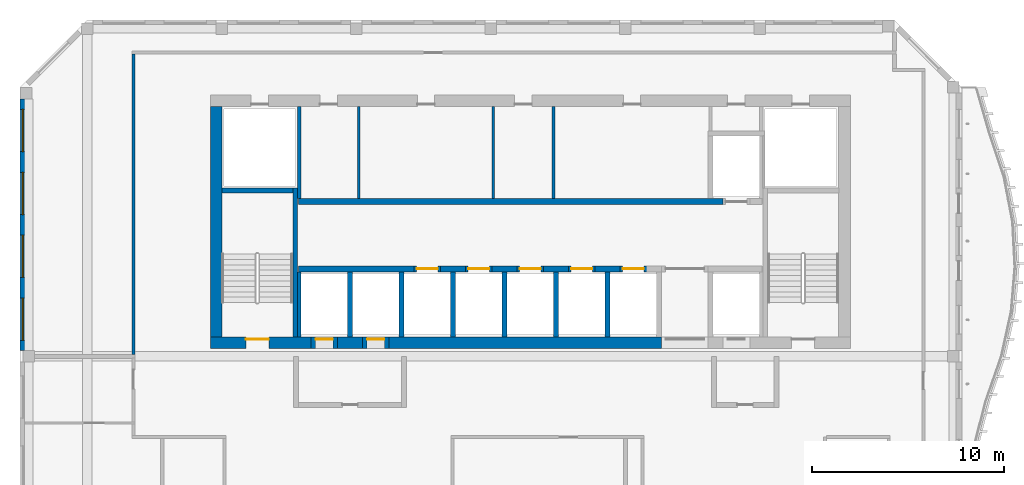
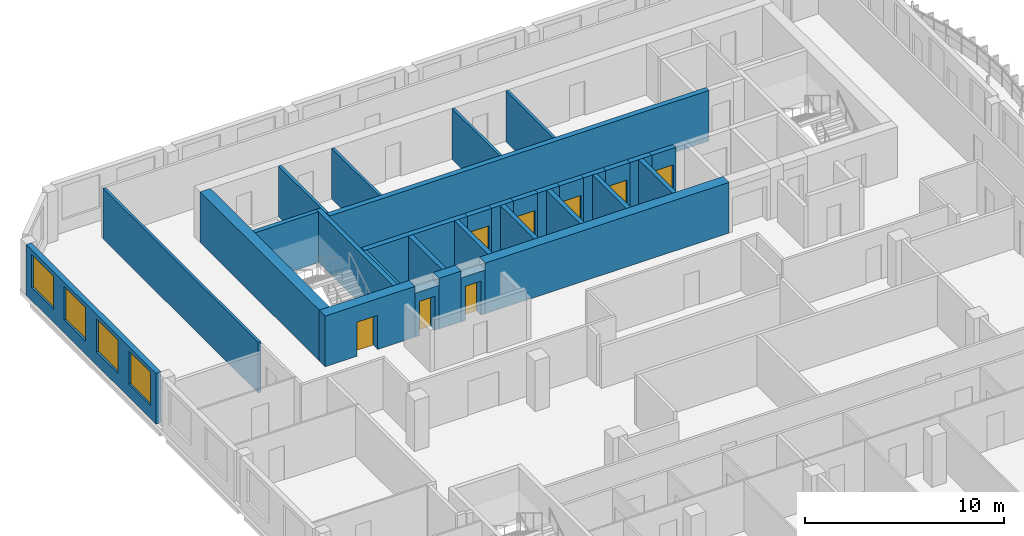
# One storey, part 6 of 17: 32 walls, 8 doors, 4 windows, 12 openings.
"""IFC4 building model written with IfcOpenShell, lengths in metres."""

from ifc_helpers import new_model, si_unit, direction, frame, frame_2d, origin, place, context, subcontext, project, spatial, rectangle, extrude, source, transform, mapped, material, layer, layer_set, type_object, element, fill, save


model = new_model("IFC4")

# Units and contexts
model_context = context("Model", 3, precision=1e-05, world=origin(), true_north=direction((0.0, 1.0)))
body_context = subcontext(model_context, "Body", "Model", "MODEL_VIEW")
ifc_project = project(units=[si_unit("LENGTHUNIT", "METRE"), si_unit("AREAUNIT", "SQUARE_METRE"), si_unit("VOLUMEUNIT", "CUBIC_METRE"), si_unit("PLANEANGLEUNIT", "RADIAN"), si_unit("MASSUNIT", "GRAM", prefix="KILO")], contexts=[model_context])

# Site, building, storey
site_placement = place(None, origin())
site = spatial("IfcSite", under=ifc_project, at=site_placement, CompositionType="ELEMENT")
building_placement = place(site_placement, origin())
building = spatial("IfcBuilding", under=site, at=building_placement, Name="Kilnfold Tower and Market Hall", CompositionType="ELEMENT")
storey_placement = place(building_placement, frame((0.0, 0.0, 298.39990234375)))
storey = spatial("IfcBuildingStorey", under=building, at=storey_placement, Name="L74", CompositionType="ELEMENT", Elevation=298.39990234375)

# Walls
ifc_material_1 = material(Name="Gypsum board on steel studs", Category="steel")
ifc_layer_1 = layer(ifc_material_1, 0.14990234375)
ifc_layer_set_1 = layer_set([ifc_layer_1], Name="Gypsum board on steel studs")
wall_type_1 = type_object("IfcWallType", Name="WALL CORRIDOR 150", PredefinedType="PARTITIONING", material=ifc_layer_set_1)
wall_1_placement = place(storey_placement, frame((-19.60009765625, 8.090087890625, 0.0), z_axis=(0.0, 0.0, 1.0), x_axis=(0.0, 1.0, 0.0)))
element("IfcWall", 1, at=wall_1_placement, inside=storey, type_object=wall_type_1, Name="Partition LY45.7", PredefinedType="PARTITIONING", context=body_context, shape_type="SweptSolid", body=[
    extrude(rectangle(XDim=15.635009765625, YDim=0.14990234375, at=frame_2d((7.8173828125, 0.0))), origin(), (0.0, 0.0, 1.0), 3.1201171875),
])
ifc_material_2 = material(Name="Concrete C50", Category="concrete")
ifc_layer_2 = layer(ifc_material_2, 0.25)
ifc_layer_set_2 = layer_set([ifc_layer_2], Name="Concrete C50")
wall_type_2 = type_object("IfcWallType", Name="CORE WALL 250 C50", PredefinedType="SHEAR", material=ifc_layer_set_2)
shared_shape_1 = source(origin(), body_context, "Body", "SweptSolid", [
    extrude(rectangle(XDim=7.75, YDim=0.25, at=frame_2d((3.875, 0.0))), origin(), (0.0, 0.0, 1.0), 3.1201171875),
])
wall_2_placement = place(storey_placement, frame((-11.175048828125, 9.0, 0.0), z_axis=(0.0, 0.0, 1.0), x_axis=(0.0, 1.0, 0.0)))
element("IfcWall", 2, at=wall_2_placement, inside=storey, type_object=wall_type_2, Name="Stair enclosure ST1", PredefinedType="SHEAR", context=body_context, shape_type="MappedRepresentation", body=[
    mapped(shared_shape_1, transform((0.0, 0.0, 0.0))),
])
shared_shape_2 = source(origin(), body_context, "Body", "SweptSolid", [
    extrude(rectangle(XDim=3.699951171875, YDim=0.25, at=frame_2d((1.85009765625, 0.0))), origin(), (0.0, 0.0, 1.0), 3.1201171875),
])
wall_3_placement = place(storey_placement, frame((-15.0, 16.625, 0.0), z_axis=(0.0, 0.0, 1.0), x_axis=(1.0, 0.0, 0.0)))
element("IfcWall", 3, at=wall_3_placement, inside=storey, type_object=wall_type_2, Name="Stair enclosure ST1", PredefinedType="SHEAR", context=body_context, shape_type="MappedRepresentation", body=[
    mapped(shared_shape_2, transform((0.0, 0.0, 0.0))),
])
ifc_material_3 = material(Name="Concrete C50", Category="concrete")
ifc_layer_3 = layer(ifc_material_3, 0.300048828125)
ifc_layer_set_3 = layer_set([ifc_layer_3], Name="Concrete C50")
wall_type_3 = type_object("IfcWallType", Name="CORE WALL 300 C50", PredefinedType="SHEAR", material=ifc_layer_set_3)
shared_shape_3 = source(origin(), body_context, "Body", "SweptSolid", [
    extrude(rectangle(XDim=6.0, YDim=0.300048828125, at=frame_2d((3.0, 0.0))), origin(), (0.0, 0.0, 1.0), 3.1201171875),
])
wall_4_placement = place(storey_placement, frame((-11.010009765625, 12.550048828125, 0.0), z_axis=(0.0, 0.0, 1.0), x_axis=(1.0, 0.0, 0.0)))
element("IfcWall", 4, at=wall_4_placement, inside=storey, type_object=wall_type_3, Name="Core spine wall", PredefinedType="SHEAR", context=body_context, shape_type="MappedRepresentation", body=[
    mapped(shared_shape_3, transform((0.0, 0.0, 0.0))),
])
shared_shape_4 = source(origin(), body_context, "Body", "SweptSolid", [
    extrude(rectangle(XDim=1.280029296875, YDim=0.300048828125, at=frame_2d((0.64013671875, 0.0))), origin(), (0.0, 0.0, 1.0), 3.1201171875),
])
for number, where, z_axis, x_axis, name in (
    (5, (-3.610107421875, 12.550048828125, 0.0), (0.0, 0.0, 1.0), (1.0, 0.0, 0.0), "Core spine wall"),
    (6, (-0.929931640625, 12.550048828125, 0.0), (0.0, 0.0, 1.0), (1.0, 0.0, 0.0), "Core spine wall"),
    (7, (1.75, 12.550048828125, 0.0), (0.0, 0.0, 1.0), (1.0, 0.0, 0.0), "Core spine wall"),
    (8, (4.429931640625, 12.550048828125, 0.0), (0.0, 0.0, 1.0), (1.0, 0.0, 0.0), "Core spine wall"),
):
    element("IfcWall", number, at=place(storey_placement, frame(where, z_axis=z_axis, x_axis=x_axis)), inside=storey, type_object=wall_type_3, Name=name, PredefinedType="SHEAR", context=body_context, shape_type="MappedRepresentation", body=[
        mapped(shared_shape_4, transform((0.0, 0.0, 0.0))),
    ])
shared_shape_5 = source(origin(), body_context, "Body", "SweptSolid", [
    extrude(rectangle(XDim=22.080078125, YDim=0.300048828125, at=frame_2d((11.0400390625, 0.0))), origin(), (0.0, 0.0, 1.0), 3.1201171875),
])
wall_5_placement = place(storey_placement, frame((-11.010009765625, 16.050048828125, 0.0), z_axis=(0.0, 0.0, 1.0), x_axis=(1.0, 0.0, 0.0)))
element("IfcWall", 9, at=wall_5_placement, inside=storey, type_object=wall_type_3, Name="Core spine wall", PredefinedType="SHEAR", context=body_context, shape_type="MappedRepresentation", body=[
    mapped(shared_shape_5, transform((0.0, 0.0, 0.0))),
])

# Wall, opening, door
ifc_material_4 = material(Name="Concrete C50", Category="concrete")
ifc_layer_4 = layer(ifc_material_4, 0.60009765625)
ifc_layer_set_4 = layer_set([ifc_layer_4], Name="Concrete C50")
wall_type_4 = type_object("IfcWallType", Name="CORE WALL 600 C50", PredefinedType="SHEAR", material=ifc_layer_set_4)
shared_shape_6 = source(origin(), body_context, "Body", "SweptSolid", [
    extrude(rectangle(XDim=5.22998046875, YDim=0.60009765625, at=frame_2d((2.614990234375, 0.0))), origin(), (0.0, 0.0, 1.0), 3.1201171875),
])
wall_6_placement = place(storey_placement, frame((-15.60009765625, 8.699951171875, 0.0), z_axis=(0.0, 0.0, 1.0), x_axis=(1.0, 0.0, 0.0)))
wall_6 = element("IfcWall", 10, at=wall_6_placement, inside=storey, type_object=wall_type_4, Name="Core outer wall south", PredefinedType="SHEAR", context=body_context, shape_type="MappedRepresentation", body=[
    mapped(shared_shape_6, transform((0.0, 0.0, 0.0))),
])
opening_1_placement = place(wall_6_placement, frame((1.85009765625, 0.0, 0.0)))
opening_1 = element("IfcOpeningElement", 11, at=opening_1_placement, cuts=wall_6, Name="Opening SD1", PredefinedType="OPENING", context=body_context, shape_type="SweptSolid", body=[
    extrude(rectangle(XDim=1.199951171875, YDim=2.10009765625, at=frame_2d((0.60009765625, 1.050048828125))), frame((0.0, 0.31005859375, 0.0), z_axis=(0.0, -1.0, 0.0), x_axis=(1.0, 0.0, 0.0)), (0.0, 0.0, 1.0), 0.6201171875),
])
ifc_material_5 = material(Name="Steel door set with fire-resisting leaf", Category="steel")
door_type_1 = type_object("IfcDoorType", Name="STAIR FLOOR DOOR 1200X2100", OperationType="NOTDEFINED", PredefinedType="DOOR", material=ifc_material_5)
door_1_placement = place(opening_1_placement, origin())
door_1 = element("IfcDoor", 12, at=door_1_placement, inside=storey, type_object=door_type_1, Name="Exit stair ST1 door", OperationType="DOUBLE_DOOR_SINGLE_SWING", OverallHeight=2.10009765625, OverallWidth=1.199951171875, PredefinedType="DOOR", context=body_context, shape_type="SweptSolid", body=[
    extrude(rectangle(XDim=1.199951171875, YDim=2.10009765625, at=frame_2d((0.60009765625, 1.050048828125))), frame((0.0, 0.205078125, 0.0), z_axis=(0.0, -1.0, 0.0), x_axis=(1.0, 0.0, 0.0)), (0.0, 0.0, 1.0), 0.050048828125),
])
fill(opening_1, door_1)

# Walls
shared_shape_7 = source(origin(), body_context, "Body", "SweptSolid", [
    extrude(rectangle(XDim=1.280029296875, YDim=0.60009765625, at=frame_2d((0.64013671875, 0.0))), origin(), (0.0, 0.0, 1.0), 3.1201171875),
])
wall_7_placement = place(storey_placement, frame((-8.969970703125, 8.699951171875, 0.0), z_axis=(0.0, 0.0, 1.0), x_axis=(1.0, 0.0, 0.0)))
element("IfcWall", 13, at=wall_7_placement, inside=storey, type_object=wall_type_4, Name="Core outer wall south", PredefinedType="SHEAR", context=body_context, shape_type="MappedRepresentation", body=[
    mapped(shared_shape_7, transform((0.0, 0.0, 0.0))),
])
shared_shape_8 = source(origin(), body_context, "Body", "SweptSolid", [
    extrude(rectangle(XDim=14.179931640625, YDim=0.60009765625, at=frame_2d((7.08984375, 0.0))), origin(), (0.0, 0.0, 1.0), 3.1201171875),
])
wall_8_placement = place(storey_placement, frame((-6.2900390625, 8.699951171875, 0.0), z_axis=(0.0, 0.0, 1.0), x_axis=(1.0, 0.0, 0.0)))
element("IfcWall", 14, at=wall_8_placement, inside=storey, type_object=wall_type_4, Name="Core outer wall south", PredefinedType="SHEAR", context=body_context, shape_type="MappedRepresentation", body=[
    mapped(shared_shape_8, transform((0.0, 0.0, 0.0))),
])
shared_shape_9 = source(origin(), body_context, "Body", "SweptSolid", [
    extrude(rectangle(XDim=12.0, YDim=0.60009765625, at=frame_2d((6.0, 0.0))), origin(), (0.0, 0.0, 1.0), 3.1201171875),
])
wall_9_placement = place(storey_placement, frame((-15.300048828125, 9.0, 0.0), z_axis=(0.0, 0.0, 1.0), x_axis=(0.0, 1.0, 0.0)))
element("IfcWall", 15, at=wall_9_placement, inside=storey, type_object=wall_type_4, Name="Core outer wall west", PredefinedType="SHEAR", context=body_context, shape_type="MappedRepresentation", body=[
    mapped(shared_shape_9, transform((0.0, 0.0, 0.0))),
])

# Wall, openings, windows
ifc_material_6 = material(Name="Precast concrete C50/60", Category="concrete")
ifc_layer_5 = layer(ifc_material_6, 0.300048828125)
ifc_layer_set_5 = layer_set([ifc_layer_5], Name="Precast concrete C50/60")
wall_type_5 = type_object("IfcWallType", Name="PRECAST WALL 300", PredefinedType="SOLIDWALL", material=ifc_layer_set_5)
shared_shape_10 = source(origin(), body_context, "Body", "SweptSolid", [
    extrude(rectangle(XDim=13.081787109375, YDim=0.300048828125, at=frame_2d((6.541015625, 0.0))), origin(), (0.0, 0.0, 1.0), 3.1201171875),
])
wall_10_placement = place(storey_placement, frame((-25.35009765625, 21.3818359375, 0.0), z_axis=(0.0, 0.0, 1.0), x_axis=(0.0, -1.0, 0.0)))
wall_10 = element("IfcWall", 16, at=wall_10_placement, inside=storey, type_object=wall_type_5, Name="External wall L74 W", PredefinedType="SOLIDWALL", context=body_context, shape_type="MappedRepresentation", body=[
    mapped(shared_shape_10, transform((0.0, 0.0, 0.0))),
])
opening_2_placement = place(wall_10_placement, frame((0.53515625, 0.0, 0.800048828125)))
opening_2 = element("IfcOpeningElement", 17, at=opening_2_placement, cuts=wall_10, Name="Opening W3", PredefinedType="OPENING", context=body_context, shape_type="SweptSolid", body=[
    extrude(rectangle(XDim=2.199951171875, YDim=2.050048828125, at=frame_2d((1.10009765625, 1.02490234375))), frame((0.0, 0.16015625, 0.0), z_axis=(0.0, -1.0, 0.0), x_axis=(1.0, 0.0, 0.0)), (0.0, 0.0, 1.0), 0.320068359375),
])
opening_3_placement = place(wall_10_placement, frame((3.8056640625, 0.0, 0.800048828125)))
opening_3 = element("IfcOpeningElement", 18, at=opening_3_placement, cuts=wall_10, Name="Opening W3", PredefinedType="OPENING", context=body_context, shape_type="SweptSolid", body=[
    extrude(rectangle(XDim=2.199951171875, YDim=2.050048828125, at=frame_2d((1.10009765625, 1.02490234375))), frame((0.0, 0.16015625, 0.0), z_axis=(0.0, -1.0, 0.0), x_axis=(1.0, 0.0, 0.0)), (0.0, 0.0, 1.0), 0.320068359375),
])
opening_4_placement = place(wall_10_placement, frame((7.076171875, 0.0, 0.800048828125)))
opening_4 = element("IfcOpeningElement", 19, at=opening_4_placement, cuts=wall_10, Name="Opening W3", PredefinedType="OPENING", context=body_context, shape_type="SweptSolid", body=[
    extrude(rectangle(XDim=2.199951171875, YDim=2.050048828125, at=frame_2d((1.10009765625, 1.02490234375))), frame((0.0, 0.16015625, 0.0), z_axis=(0.0, -1.0, 0.0), x_axis=(1.0, 0.0, 0.0)), (0.0, 0.0, 1.0), 0.320068359375),
])
opening_5_placement = place(wall_10_placement, frame((10.3466796875, 0.0, 0.800048828125)))
opening_5 = element("IfcOpeningElement", 20, at=opening_5_placement, cuts=wall_10, Name="Opening W3", PredefinedType="OPENING", context=body_context, shape_type="SweptSolid", body=[
    extrude(rectangle(XDim=2.199951171875, YDim=2.050048828125, at=frame_2d((1.10009765625, 1.02490234375))), frame((0.0, 0.16015625, 0.0), z_axis=(0.0, -1.0, 0.0), x_axis=(1.0, 0.0, 0.0)), (0.0, 0.0, 1.0), 0.320068359375),
])
ifc_material_7 = material(Name="Aluminium frame and double glazing", Category="aluminium")
window_type = type_object("IfcWindowType", Name="WINDOW W3 2200X2050", PartitioningType="SINGLE_PANEL", PredefinedType="WINDOW", material=ifc_material_7)
window_1_placement = place(opening_2_placement, origin())
window_1 = element("IfcWindow", 21, at=window_1_placement, inside=storey, type_object=window_type, Name="Window W3 L74 W-1", OverallHeight=2.050048828125, OverallWidth=2.199951171875, PartitioningType="SINGLE_PANEL", PredefinedType="WINDOW", context=body_context, shape_type="SweptSolid", body=[
    extrude(rectangle(XDim=2.199951171875, YDim=2.050048828125, at=frame_2d((1.10009765625, 1.02490234375))), frame((0.0, 0.030029296875, 0.0), z_axis=(0.0, -1.0, 0.0), x_axis=(1.0, 0.0, 0.0)), (0.0, 0.0, 1.0), 0.06005859375),
])
fill(opening_2, window_1)
window_2_placement = place(opening_3_placement, origin())
window_2 = element("IfcWindow", 22, at=window_2_placement, inside=storey, type_object=window_type, Name="Window W3 L74 W-2", OverallHeight=2.050048828125, OverallWidth=2.199951171875, PartitioningType="SINGLE_PANEL", PredefinedType="WINDOW", context=body_context, shape_type="SweptSolid", body=[
    extrude(rectangle(XDim=2.199951171875, YDim=2.050048828125, at=frame_2d((1.10009765625, 1.02490234375))), frame((0.0, 0.030029296875, 0.0), z_axis=(0.0, -1.0, 0.0), x_axis=(1.0, 0.0, 0.0)), (0.0, 0.0, 1.0), 0.06005859375),
])
fill(opening_3, window_2)
window_3_placement = place(opening_4_placement, origin())
window_3 = element("IfcWindow", 23, at=window_3_placement, inside=storey, type_object=window_type, Name="Window W3 L74 W-3", OverallHeight=2.050048828125, OverallWidth=2.199951171875, PartitioningType="SINGLE_PANEL", PredefinedType="WINDOW", context=body_context, shape_type="SweptSolid", body=[
    extrude(rectangle(XDim=2.199951171875, YDim=2.050048828125, at=frame_2d((1.10009765625, 1.02490234375))), frame((0.0, 0.030029296875, 0.0), z_axis=(0.0, -1.0, 0.0), x_axis=(1.0, 0.0, 0.0)), (0.0, 0.0, 1.0), 0.06005859375),
])
fill(opening_4, window_3)
window_4_placement = place(opening_5_placement, origin())
window_4 = element("IfcWindow", 24, at=window_4_placement, inside=storey, type_object=window_type, Name="Window W3 L74 W-4", OverallHeight=2.050048828125, OverallWidth=2.199951171875, PartitioningType="SINGLE_PANEL", PredefinedType="WINDOW", context=body_context, shape_type="SweptSolid", body=[
    extrude(rectangle(XDim=2.199951171875, YDim=2.050048828125, at=frame_2d((1.10009765625, 1.02490234375))), frame((0.0, 0.030029296875, 0.0), z_axis=(0.0, -1.0, 0.0), x_axis=(1.0, 0.0, 0.0)), (0.0, 0.0, 1.0), 0.06005859375),
])
fill(opening_5, window_4)

# Wall, opening, door
ifc_material_8 = material(Name="Gypsum shaft wall system")
ifc_layer_6 = layer(ifc_material_8, 0.300048828125)
ifc_layer_set_6 = layer_set([ifc_layer_6], Name="Gypsum shaft wall system")
wall_type_6 = type_object("IfcWallType", Name="SHAFT WALL 300", PredefinedType="PARTITIONING", material=ifc_layer_set_6)
shared_shape_11 = source(origin(), body_context, "Body", "SweptSolid", [
    extrude(rectangle(XDim=1.39990234375, YDim=0.300048828125, at=frame_2d((0.699951171875, 0.0))), origin(), (0.0, 0.0, 1.0), 3.1201171875),
])
wall_11_placement = place(storey_placement, frame((-5.010009765625, 12.550048828125, 0.0), z_axis=(0.0, 0.0, 1.0), x_axis=(1.0, 0.0, 0.0)))
wall_11 = element("IfcWall", 25, at=wall_11_placement, inside=storey, type_object=wall_type_6, Name="Lift shaft front wall", PredefinedType="PARTITIONING", context=body_context, shape_type="MappedRepresentation", body=[
    mapped(shared_shape_11, transform((0.0, 0.0, 0.0))),
])
opening_6_placement = place(wall_11_placement, frame((0.14990234375, 0.0, 0.0)))
opening_6 = element("IfcOpeningElement", 26, at=opening_6_placement, cuts=wall_11, Name="Opening LD2", PredefinedType="OPENING", context=body_context, shape_type="SweptSolid", body=[
    extrude(rectangle(XDim=1.10009765625, YDim=2.10009765625, at=frame_2d((0.550048828125, 1.050048828125))), frame((0.0, 0.16015625, 0.0), z_axis=(0.0, -1.0, 0.0), x_axis=(1.0, 0.0, 0.0)), (0.0, 0.0, 1.0), 0.320068359375),
])
ifc_material_9 = material(Name="Steel door set with fire-resisting leaf", Category="steel")
door_type_2 = type_object("IfcDoorType", Name="LANDING DOOR 1100X2100", OperationType="NOTDEFINED", PredefinedType="DOOR", material=ifc_material_9)
door_2_placement = place(opening_6_placement, origin())
door_2 = element("IfcDoor", 27, at=door_2_placement, inside=storey, type_object=door_type_2, Name="Landing door HR1", OperationType="DOUBLE_DOOR_SLIDING", OverallHeight=2.10009765625, OverallWidth=1.10009765625, PredefinedType="DOOR", context=body_context, shape_type="SweptSolid", body=[
    extrude(rectangle(XDim=1.10009765625, YDim=2.10009765625, at=frame_2d((0.550048828125, 1.050048828125))), frame((0.0, 0.02490234375, 0.0), z_axis=(0.0, -1.0, 0.0), x_axis=(1.0, 0.0, 0.0)), (0.0, 0.0, 1.0), 0.050048828125),
])
fill(opening_6, door_2)

wall_12_placement = place(storey_placement, frame((0.35009765625, 12.550048828125, 0.0), z_axis=(0.0, 0.0, 1.0), x_axis=(1.0, 0.0, 0.0)))
wall_12 = element("IfcWall", 28, at=wall_12_placement, inside=storey, type_object=wall_type_6, Name="Lift shaft front wall", PredefinedType="PARTITIONING", context=body_context, shape_type="MappedRepresentation", body=[
    mapped(shared_shape_11, transform((0.0, 0.0, 0.0))),
])
opening_7_placement = place(wall_12_placement, frame((0.14990234375, 0.0, 0.0)))
opening_7 = element("IfcOpeningElement", 29, at=opening_7_placement, cuts=wall_12, Name="Opening LD2", PredefinedType="OPENING", context=body_context, shape_type="SweptSolid", body=[
    extrude(rectangle(XDim=1.10009765625, YDim=2.10009765625, at=frame_2d((0.550048828125, 1.050048828125))), frame((0.0, 0.16015625, 0.0), z_axis=(0.0, -1.0, 0.0), x_axis=(1.0, 0.0, 0.0)), (0.0, 0.0, 1.0), 0.320068359375),
])
door_3_placement = place(opening_7_placement, origin())
door_3 = element("IfcDoor", 30, at=door_3_placement, inside=storey, type_object=door_type_2, Name="Landing door HR3", OperationType="DOUBLE_DOOR_SLIDING", OverallHeight=2.10009765625, OverallWidth=1.10009765625, PredefinedType="DOOR", context=body_context, shape_type="SweptSolid", body=[
    extrude(rectangle(XDim=1.10009765625, YDim=2.10009765625, at=frame_2d((0.550048828125, 1.050048828125))), frame((0.0, 0.02490234375, 0.0), z_axis=(0.0, -1.0, 0.0), x_axis=(1.0, 0.0, 0.0)), (0.0, 0.0, 1.0), 0.050048828125),
])
fill(opening_7, door_3)

wall_13_placement = place(storey_placement, frame((3.030029296875, 12.550048828125, 0.0), z_axis=(0.0, 0.0, 1.0), x_axis=(1.0, 0.0, 0.0)))
wall_13 = element("IfcWall", 31, at=wall_13_placement, inside=storey, type_object=wall_type_6, Name="Lift shaft front wall", PredefinedType="PARTITIONING", context=body_context, shape_type="MappedRepresentation", body=[
    mapped(shared_shape_11, transform((0.0, 0.0, 0.0))),
])
opening_8_placement = place(wall_13_placement, frame((0.14990234375, 0.0, 0.0)))
opening_8 = element("IfcOpeningElement", 32, at=opening_8_placement, cuts=wall_13, Name="Opening LD2", PredefinedType="OPENING", context=body_context, shape_type="SweptSolid", body=[
    extrude(rectangle(XDim=1.10009765625, YDim=2.10009765625, at=frame_2d((0.550048828125, 1.050048828125))), frame((0.0, 0.16015625, 0.0), z_axis=(0.0, -1.0, 0.0), x_axis=(1.0, 0.0, 0.0)), (0.0, 0.0, 1.0), 0.320068359375),
])
door_4_placement = place(opening_8_placement, origin())
door_4 = element("IfcDoor", 33, at=door_4_placement, inside=storey, type_object=door_type_2, Name="Landing door HR4", OperationType="DOUBLE_DOOR_SLIDING", OverallHeight=2.10009765625, OverallWidth=1.10009765625, PredefinedType="DOOR", context=body_context, shape_type="SweptSolid", body=[
    extrude(rectangle(XDim=1.10009765625, YDim=2.10009765625, at=frame_2d((0.550048828125, 1.050048828125))), frame((0.0, 0.02490234375, 0.0), z_axis=(0.0, -1.0, 0.0), x_axis=(1.0, 0.0, 0.0)), (0.0, 0.0, 1.0), 0.050048828125),
])
fill(opening_8, door_4)

shared_shape_12 = source(origin(), body_context, "Body", "SweptSolid", [
    extrude(rectangle(XDim=1.400146484375, YDim=0.300048828125, at=frame_2d((0.7001953125, 0.0))), origin(), (0.0, 0.0, 1.0), 3.1201171875),
])
wall_14_placement = place(storey_placement, frame((-2.330078125, 12.550048828125, 0.0), z_axis=(0.0, 0.0, 1.0), x_axis=(1.0, 0.0, 0.0)))
wall_14 = element("IfcWall", 34, at=wall_14_placement, inside=storey, type_object=wall_type_6, Name="Lift shaft front wall", PredefinedType="PARTITIONING", context=body_context, shape_type="MappedRepresentation", body=[
    mapped(shared_shape_12, transform((0.0, 0.0, 0.0))),
])
opening_9_placement = place(wall_14_placement, frame((0.14990234375, 0.0, 0.0)))
opening_9 = element("IfcOpeningElement", 35, at=opening_9_placement, cuts=wall_14, Name="Opening LD2", PredefinedType="OPENING", context=body_context, shape_type="SweptSolid", body=[
    extrude(rectangle(XDim=1.10009765625, YDim=2.10009765625, at=frame_2d((0.550048828125, 1.050048828125))), frame((0.0, 0.16015625, 0.0), z_axis=(0.0, -1.0, 0.0), x_axis=(1.0, 0.0, 0.0)), (0.0, 0.0, 1.0), 0.320068359375),
])
door_5_placement = place(opening_9_placement, origin())
door_5 = element("IfcDoor", 36, at=door_5_placement, inside=storey, type_object=door_type_2, Name="Landing door HR2", OperationType="DOUBLE_DOOR_SLIDING", OverallHeight=2.10009765625, OverallWidth=1.10009765625, PredefinedType="DOOR", context=body_context, shape_type="SweptSolid", body=[
    extrude(rectangle(XDim=1.10009765625, YDim=2.10009765625, at=frame_2d((0.550048828125, 1.050048828125))), frame((0.0, 0.02490234375, 0.0), z_axis=(0.0, -1.0, 0.0), x_axis=(1.0, 0.0, 0.0)), (0.0, 0.0, 1.0), 0.050048828125),
])
fill(opening_9, door_5)

wall_15_placement = place(storey_placement, frame((5.7099609375, 12.550048828125, 0.0), z_axis=(0.0, 0.0, 1.0), x_axis=(1.0, 0.0, 0.0)))
wall_15 = element("IfcWall", 37, at=wall_15_placement, inside=storey, type_object=wall_type_6, Name="Lift shaft front wall", PredefinedType="PARTITIONING", context=body_context, shape_type="MappedRepresentation", body=[
    mapped(shared_shape_12, transform((0.0, 0.0, 0.0))),
])
opening_10_placement = place(wall_15_placement, frame((0.14990234375, 0.0, 0.0)))
opening_10 = element("IfcOpeningElement", 38, at=opening_10_placement, cuts=wall_15, Name="Opening LD2", PredefinedType="OPENING", context=body_context, shape_type="SweptSolid", body=[
    extrude(rectangle(XDim=1.10009765625, YDim=2.10009765625, at=frame_2d((0.550048828125, 1.050048828125))), frame((0.0, 0.16015625, 0.0), z_axis=(0.0, -1.0, 0.0), x_axis=(1.0, 0.0, 0.0)), (0.0, 0.0, 1.0), 0.320068359375),
])
door_6_placement = place(opening_10_placement, origin())
door_6 = element("IfcDoor", 39, at=door_6_placement, inside=storey, type_object=door_type_2, Name="Landing door HR5", OperationType="DOUBLE_DOOR_SLIDING", OverallHeight=2.10009765625, OverallWidth=1.10009765625, PredefinedType="DOOR", context=body_context, shape_type="SweptSolid", body=[
    extrude(rectangle(XDim=1.10009765625, YDim=2.10009765625, at=frame_2d((0.550048828125, 1.050048828125))), frame((0.0, 0.02490234375, 0.0), z_axis=(0.0, -1.0, 0.0), x_axis=(1.0, 0.0, 0.0)), (0.0, 0.0, 1.0), 0.050048828125),
])
fill(opening_10, door_6)

# Walls
ifc_material_10 = material(Name="Gypsum shaft wall system")
ifc_layer_7 = layer(ifc_material_10, 0.1650390625)
ifc_layer_set_7 = layer_set([ifc_layer_7], Name="Gypsum shaft wall system")
wall_type_7 = type_object("IfcWallType", Name="SHAFT WALL 165", PredefinedType="PARTITIONING", material=ifc_layer_set_7)
shared_shape_13 = source(origin(), body_context, "Body", "SweptSolid", [
    extrude(rectangle(XDim=4.800048828125, YDim=0.1650390625, at=frame_2d((2.39990234375, 0.0))), origin(), (0.0, 0.0, 1.0), 3.1201171875),
])
wall_16_placement = place(storey_placement, frame((-10.967529296875, 16.199951171875, 0.0), z_axis=(0.0, 0.0, 1.0), x_axis=(0.0, 1.0, 0.0)))
element("IfcWall", 40, at=wall_16_placement, inside=storey, type_object=wall_type_7, Name="Lift shaft wall", PredefinedType="PARTITIONING", context=body_context, shape_type="MappedRepresentation", body=[
    mapped(shared_shape_13, transform((0.0, 0.0, 0.0))),
])
ifc_material_11 = material(Name="Gypsum shaft wall system")
ifc_layer_8 = layer(ifc_material_11, 0.25)
ifc_layer_set_8 = layer_set([ifc_layer_8], Name="Gypsum shaft wall system")
wall_type_8 = type_object("IfcWallType", Name="SHAFT WALL 250", PredefinedType="PARTITIONING", material=ifc_layer_set_8)
shared_shape_14 = source(origin(), body_context, "Body", "SweptSolid", [
    extrude(rectangle(XDim=3.39990234375, YDim=0.25, at=frame_2d((1.699951171875, 0.0))), origin(), (0.0, 0.0, 1.0), 3.1201171875),
])
for number, where, z_axis, x_axis, name in (
    (41, (2.389892578125, 9.0, 0.0), (0.0, 0.0, 1.0), (0.0, 1.0, 0.0), "Lift shaft wall"),
    (42, (5.070068359375, 9.0, 0.0), (0.0, 0.0, 1.0), (0.0, 1.0, 0.0), "Lift shaft wall"),
    (43, (-0.2900390625, 9.0, 0.0), (0.0, 0.0, 1.0), (0.0, 1.0, 0.0), "Lift shaft wall"),
    (44, (-2.969970703125, 9.0, 0.0), (0.0, 0.0, 1.0), (0.0, 1.0, 0.0), "Lift shaft wall"),
    (45, (-5.64990234375, 9.0, 0.0), (0.0, 0.0, 1.0), (0.0, 1.0, 0.0), "Lift shaft wall"),
    (46, (-8.330078125, 9.0, 0.0), (0.0, 0.0, 1.0), (0.0, 1.0, 0.0), "Lift shaft wall"),
):
    element("IfcWall", number, at=place(storey_placement, frame(where, z_axis=z_axis, x_axis=x_axis)), inside=storey, type_object=wall_type_8, Name=name, PredefinedType="PARTITIONING", context=body_context, shape_type="MappedRepresentation", body=[
        mapped(shared_shape_14, transform((0.0, 0.0, 0.0))),
    ])
shared_shape_15 = source(origin(), body_context, "Body", "SweptSolid", [
    extrude(rectangle(XDim=3.39990234375, YDim=0.1650390625, at=frame_2d((1.699951171875, 0.0))), origin(), (0.0, 0.0, 1.0), 3.1201171875),
])
wall_17_placement = place(storey_placement, frame((-10.967529296875, 9.0, 0.0), z_axis=(0.0, 0.0, 1.0), x_axis=(0.0, 1.0, 0.0)))
element("IfcWall", 47, at=wall_17_placement, inside=storey, type_object=wall_type_7, Name="Lift shaft wall", PredefinedType="PARTITIONING", context=body_context, shape_type="MappedRepresentation", body=[
    mapped(shared_shape_15, transform((0.0, 0.0, 0.0))),
])
ifc_material_12 = material(Name="Gypsum shaft wall system")
ifc_layer_9 = layer(ifc_material_12, 0.14990234375)
ifc_layer_set_9 = layer_set([ifc_layer_9], Name="Gypsum shaft wall system")
wall_type_9 = type_object("IfcWallType", Name="ROOM WALL 150", PredefinedType="PARTITIONING", material=ifc_layer_set_9)
shared_shape_16 = source(origin(), body_context, "Body", "SweptSolid", [
    extrude(rectangle(XDim=4.800048828125, YDim=0.14990234375, at=frame_2d((2.39990234375, 0.0))), origin(), (0.0, 0.0, 1.0), 3.1201171875),
])
for number, where, z_axis, x_axis, name in (
    (48, (-7.87451171875, 16.199951171875, 0.0), (0.0, 0.0, 1.0), (0.0, 1.0, 0.0), "Core room wall"),
    (49, (-0.879638671875, 16.199951171875, 0.0), (0.0, 0.0, 1.0), (0.0, 1.0, 0.0), "Core room wall"),
    (50, (2.256103515625, 16.199951171875, 0.0), (0.0, 0.0, 1.0), (0.0, 1.0, 0.0), "Core room wall"),
):
    element("IfcWall", number, at=place(storey_placement, frame(where, z_axis=z_axis, x_axis=x_axis)), inside=storey, type_object=wall_type_9, Name=name, PredefinedType="PARTITIONING", context=body_context, shape_type="MappedRepresentation", body=[
        mapped(shared_shape_16, transform((0.0, 0.0, 0.0))),
    ])

# Wall, opening, door
ifc_material_13 = material(Name="Gypsum shaft wall system")
ifc_layer_10 = layer(ifc_material_13, 0.60009765625)
ifc_layer_set_10 = layer_set([ifc_layer_10], Name="Gypsum shaft wall system")
wall_type_10 = type_object("IfcWallType", Name="LOBBY WALL 600", PredefinedType="PARTITIONING", material=ifc_layer_set_10)
shared_shape_17 = source(origin(), body_context, "Body", "SweptSolid", [
    extrude(rectangle(XDim=1.400146484375, YDim=0.60009765625, at=frame_2d((0.7001953125, 0.0))), origin(), (0.0, 0.0, 1.0), 2.7001953125),
])
wall_18_placement = place(storey_placement, frame((-10.3701171875, 8.699951171875, 0.0), z_axis=(0.0, 0.0, 1.0), x_axis=(1.0, 0.0, 0.0)))
wall_18 = element("IfcWall", 51, at=wall_18_placement, inside=storey, type_object=wall_type_10, Name="Core wall infill", PredefinedType="PARTITIONING", context=body_context, shape_type="MappedRepresentation", body=[
    mapped(shared_shape_17, transform((0.0, 0.0, 0.0))),
])
opening_11_placement = place(wall_18_placement, frame((0.25, 0.0, 0.0)))
opening_11 = element("IfcOpeningElement", 52, at=opening_11_placement, cuts=wall_18, Name="Opening LD1", PredefinedType="OPENING", context=body_context, shape_type="SweptSolid", body=[
    extrude(rectangle(XDim=0.89990234375, YDim=2.10009765625, at=frame_2d((0.449951171875, 1.050048828125))), frame((0.0, 0.31005859375, 0.0), z_axis=(0.0, -1.0, 0.0), x_axis=(1.0, 0.0, 0.0)), (0.0, 0.0, 1.0), 0.6201171875),
])
ifc_material_14 = material(Name="Steel door set with fire-resisting leaf", Category="steel")
door_type_3 = type_object("IfcDoorType", Name="FIREFIGHTING LANDING DOOR 900X2100", OperationType="NOTDEFINED", PredefinedType="DOOR", material=ifc_material_14)
door_7_placement = place(opening_11_placement, origin())
door_7 = element("IfcDoor", 53, at=door_7_placement, inside=storey, type_object=door_type_3, Name="Landing door FF1", OperationType="SLIDING_TO_LEFT", OverallHeight=2.10009765625, OverallWidth=0.89990234375, PredefinedType="DOOR", context=body_context, shape_type="SweptSolid", body=[
    extrude(rectangle(XDim=0.89990234375, YDim=2.10009765625, at=frame_2d((0.449951171875, 1.050048828125))), frame((0.0, 0.205078125, 0.0), z_axis=(0.0, -1.0, 0.0), x_axis=(1.0, 0.0, 0.0)), (0.0, 0.0, 1.0), 0.050048828125),
])
fill(opening_11, door_7)

shared_shape_18 = source(origin(), body_context, "Body", "SweptSolid", [
    extrude(rectangle(XDim=1.39990234375, YDim=0.60009765625, at=frame_2d((0.699951171875, 0.0))), origin(), (0.0, 0.0, 1.0), 2.7001953125),
])
wall_19_placement = place(storey_placement, frame((-7.68994140625, 8.699951171875, 0.0), z_axis=(0.0, 0.0, 1.0), x_axis=(1.0, 0.0, 0.0)))
wall_19 = element("IfcWall", 54, at=wall_19_placement, inside=storey, type_object=wall_type_10, Name="Core wall infill", PredefinedType="PARTITIONING", context=body_context, shape_type="MappedRepresentation", body=[
    mapped(shared_shape_18, transform((0.0, 0.0, 0.0))),
])
opening_12_placement = place(wall_19_placement, frame((0.25, 0.0, 0.0)))
opening_12 = element("IfcOpeningElement", 55, at=opening_12_placement, cuts=wall_19, Name="Opening LD1", PredefinedType="OPENING", context=body_context, shape_type="SweptSolid", body=[
    extrude(rectangle(XDim=0.89990234375, YDim=2.10009765625, at=frame_2d((0.449951171875, 1.050048828125))), frame((0.0, 0.31005859375, 0.0), z_axis=(0.0, -1.0, 0.0), x_axis=(1.0, 0.0, 0.0)), (0.0, 0.0, 1.0), 0.6201171875),
])
door_8_placement = place(opening_12_placement, origin())
door_8 = element("IfcDoor", 56, at=door_8_placement, inside=storey, type_object=door_type_3, Name="Landing door FF2", OperationType="SLIDING_TO_RIGHT", OverallHeight=2.10009765625, OverallWidth=0.89990234375, PredefinedType="DOOR", context=body_context, shape_type="SweptSolid", body=[
    extrude(rectangle(XDim=0.89990234375, YDim=2.10009765625, at=frame_2d((0.449951171875, 1.050048828125))), frame((0.0, 0.205078125, 0.0), z_axis=(0.0, -1.0, 0.0), x_axis=(1.0, 0.0, 0.0)), (0.0, 0.0, 1.0), 0.050048828125),
])
fill(opening_12, door_8)

save(model, "model.ifc")
